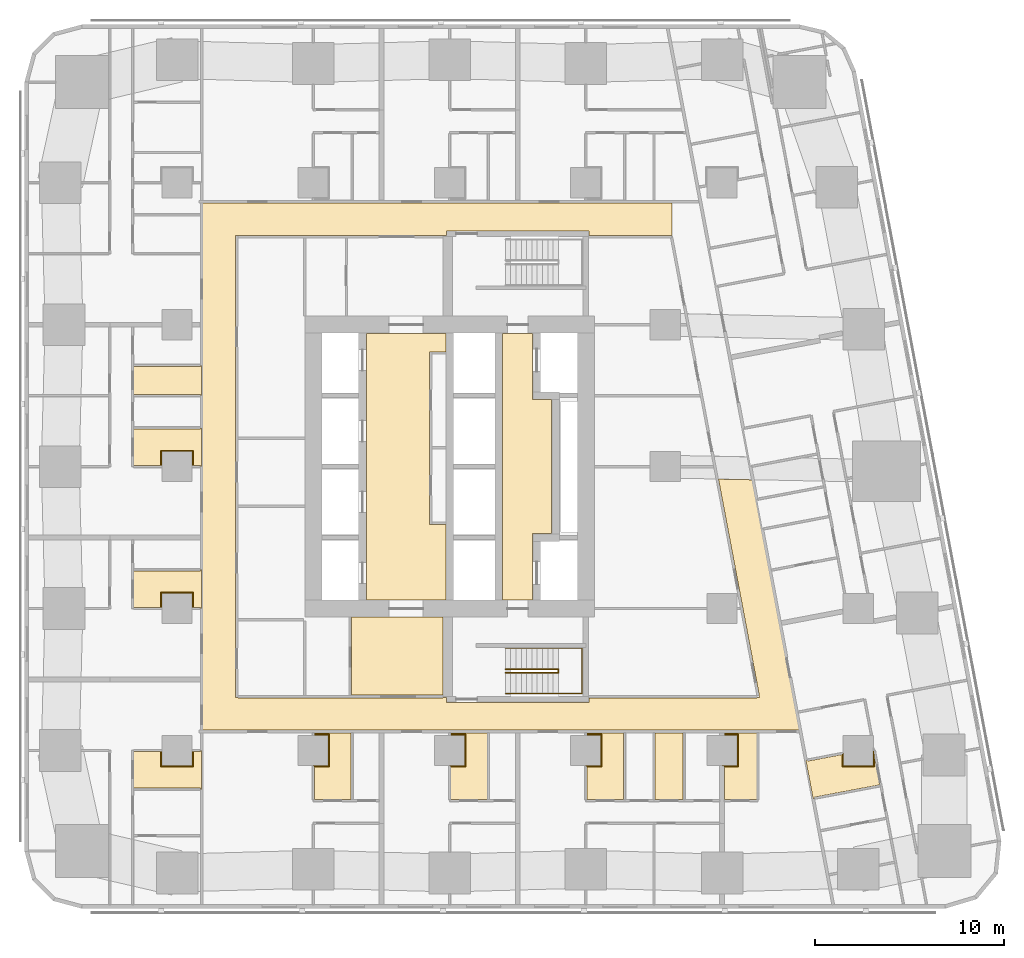
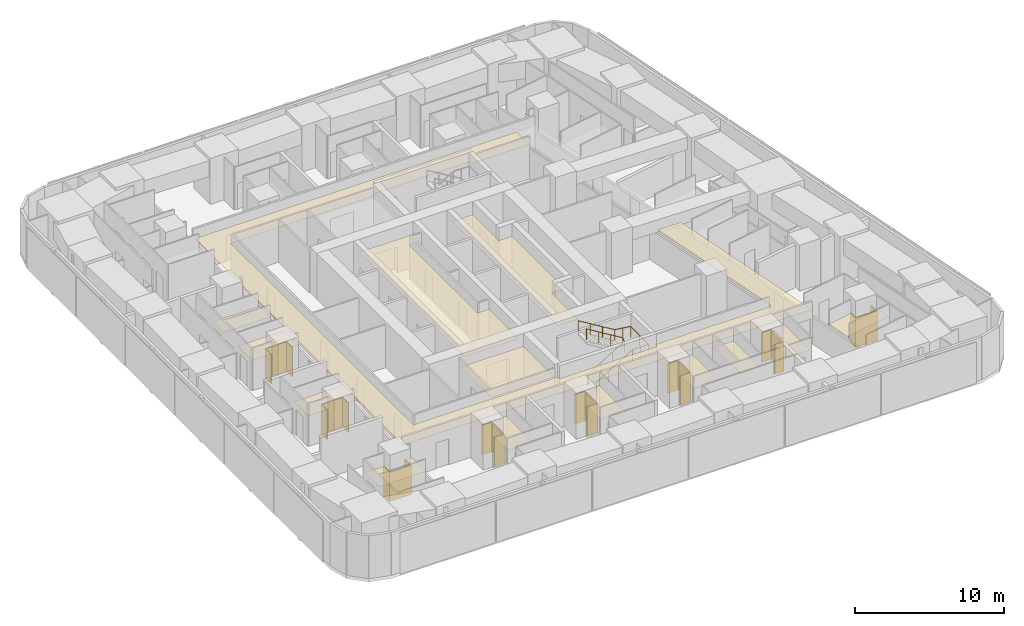
# One storey, part 14 of 16: 22 coverings, 2 railings.
"""IFC4 building model written with IfcOpenShell, lengths in metres."""

from ifc_helpers import new_model, si_unit, direction, frame, origin, origin_2d, place, context, subcontext, project, spatial, polyline, circle, outline, extrude, material, layer, layer_set, type_object, element, save


model = new_model("IFC4")

# Units and contexts
model_context = context("Model", 3, precision=1e-05, world=origin(), true_north=direction((0.0, 1.0)))
body_context = subcontext(model_context, "Body", "Model", "MODEL_VIEW")
ifc_project = project(units=[si_unit("LENGTHUNIT", "METRE"), si_unit("AREAUNIT", "SQUARE_METRE"), si_unit("VOLUMEUNIT", "CUBIC_METRE"), si_unit("PLANEANGLEUNIT", "RADIAN"), si_unit("MASSUNIT", "GRAM", prefix="KILO")], contexts=[model_context])

# Site, building, storey
site_placement = place(None, origin())
site = spatial("IfcSite", under=ifc_project, at=site_placement, CompositionType="ELEMENT")
building_placement = place(site_placement, origin())
building = spatial("IfcBuilding", under=site, at=building_placement, Name="Sheger Commons Tower", CompositionType="ELEMENT")
storey_placement = place(building_placement, frame((0.0, 0.0, 92.89990234375)))
storey = spatial("IfcBuildingStorey", under=building, at=storey_placement, Name="L23", CompositionType="ELEMENT", Elevation=92.89990234375)

# Railings
ifc_material_1 = material(Name="Steel handrail, black powder-coated", Category="steel")
railing_type = type_object("IfcRailingType", Name="HANDRAIL 900", PredefinedType="HANDRAIL", material=ifc_material_1)
railing_1_placement = place(storey_placement, frame((24.550048828125, 11.60009765625, 0.170654296875)))
element("IfcRailing", 1, at=railing_1_placement, inside=storey, type_object=railing_type, Name="Stair S1 handrail L23", PredefinedType="HANDRAIL", context=body_context, shape_type="SweptSolid", body=[
    extrude(circle(Radius=0.02392578125, at=origin_2d()), frame((0.0, 0.0, 0.8759765625), z_axis=(0.854202870247, 0.0, 0.519939858505), x_axis=(0.0, 1.0, 0.0)), (0.0, 0.0, 1.0), 3.278076171875),
    extrude(circle(Radius=0.02392578125, at=origin_2d()), frame((2.800048828125, 0.0, 2.580078125), z_axis=(0.0, 0.760631612298, 0.649183757016), x_axis=(-1.0, 0.0, 0.0)), (0.0, 0.0, 1.0), 0.262939453125),
    extrude(circle(Radius=0.02392578125, at=origin_2d()), frame((2.800048828125, 0.199951171875, 2.7509765625), z_axis=(-0.854202870247, 0.0, 0.519939858505), x_axis=(0.0, -1.0, 0.0)), (0.0, 0.0, 1.0), 3.278076171875),
    extrude(circle(Radius=0.02099609375, at=origin_2d()), origin(), (0.0, 0.0, 1.0), 0.851806640625),
    extrude(circle(Radius=0.02099609375, at=origin_2d()), frame((0.933349609375, 0.0, 0.568115234375)), (0.0, 0.0, 1.0), 0.851806640625),
    extrude(circle(Radius=0.02099609375, at=origin_2d()), frame((1.86669921875, 0.0, 1.13623046875)), (0.0, 0.0, 1.0), 0.851806640625),
    extrude(circle(Radius=0.02099609375, at=origin_2d()), frame((2.800048828125, 0.0, 1.704345703125)), (0.0, 0.0, 1.0), 0.851806640625),
    extrude(circle(Radius=0.02099609375, at=origin_2d()), frame((2.800048828125, 0.199951171875, 1.875)), (0.0, 0.0, 1.0), 0.851806640625),
    extrude(circle(Radius=0.02099609375, at=origin_2d()), frame((1.86669921875, 0.199951171875, 2.443115234375)), (0.0, 0.0, 1.0), 0.851806640625),
    extrude(circle(Radius=0.02099609375, at=origin_2d()), frame((0.933349609375, 0.199951171875, 3.01123046875)), (0.0, 0.0, 1.0), 0.851806640625),
    extrude(circle(Radius=0.02099609375, at=origin_2d()), frame((0.0, 0.199951171875, 3.579345703125)), (0.0, 0.0, 1.0), 0.851806640625),
])
railing_2_placement = place(storey_placement, frame((24.550048828125, 10.5, 0.170654296875)))
element("IfcRailing", 2, at=railing_2_placement, inside=storey, type_object=railing_type, Name="Stair S1 handrail L23", PredefinedType="HANDRAIL", context=body_context, shape_type="SweptSolid", body=[
    extrude(circle(Radius=0.02392578125, at=origin_2d()), frame((0.0, 0.0, 0.8759765625), z_axis=(0.854202870247, 0.0, 0.519939858505), x_axis=(0.0, 1.0, 0.0)), (0.0, 0.0, 1.0), 3.278076171875),
    extrude(circle(Radius=0.02392578125, at=origin_2d()), frame((2.800048828125, 0.0, 2.580078125), z_axis=(1.0, 0.0, 0.0), x_axis=(0.0, 1.0, 0.0)), (0.0, 0.0, 1.0), 1.25),
    extrude(circle(Radius=0.02392578125, at=origin_2d()), frame((4.050048828125, 0.0, 2.580078125), z_axis=(0.0, 1.0, 0.0), x_axis=(-1.0, 0.0, 0.0)), (0.0, 0.0, 1.0), 2.39990234375),
    extrude(circle(Radius=0.02392578125, at=origin_2d()), frame((4.050048828125, 2.39990234375, 2.580078125), z_axis=(-0.990808959222, 0.0, 0.135268645019), x_axis=(0.0, -1.0, 0.0)), (0.0, 0.0, 1.0), 1.261474609375),
    extrude(circle(Radius=0.02392578125, at=origin_2d()), frame((2.800048828125, 2.39990234375, 2.7509765625), z_axis=(-0.854202870247, 0.0, 0.519939858505), x_axis=(0.0, -1.0, 0.0)), (0.0, 0.0, 1.0), 3.278076171875),
    extrude(circle(Radius=0.02099609375, at=origin_2d()), origin(), (0.0, 0.0, 1.0), 0.851806640625),
    extrude(circle(Radius=0.02099609375, at=origin_2d()), frame((0.933349609375, 0.0, 0.568115234375)), (0.0, 0.0, 1.0), 0.851806640625),
    extrude(circle(Radius=0.02099609375, at=origin_2d()), frame((1.86669921875, 0.0, 1.13623046875)), (0.0, 0.0, 1.0), 0.851806640625),
    extrude(circle(Radius=0.02099609375, at=origin_2d()), frame((2.800048828125, 0.0, 1.704345703125)), (0.0, 0.0, 1.0), 0.851806640625),
    extrude(circle(Radius=0.02099609375, at=origin_2d()), frame((3.425048828125, 0.0, 1.704345703125)), (0.0, 0.0, 1.0), 0.851806640625),
    extrude(circle(Radius=0.02099609375, at=origin_2d()), frame((4.050048828125, 0.0, 1.704345703125)), (0.0, 0.0, 1.0), 0.851806640625),
    extrude(circle(Radius=0.02099609375, at=origin_2d()), frame((4.050048828125, 1.199951171875, 1.704345703125)), (0.0, 0.0, 1.0), 0.851806640625),
    extrude(circle(Radius=0.02099609375, at=origin_2d()), frame((4.050048828125, 2.39990234375, 1.704345703125)), (0.0, 0.0, 1.0), 0.851806640625),
    extrude(circle(Radius=0.02099609375, at=origin_2d()), frame((3.425048828125, 2.39990234375, 1.78955078125)), (0.0, 0.0, 1.0), 0.851806640625),
    extrude(circle(Radius=0.02099609375, at=origin_2d()), frame((2.800048828125, 2.39990234375, 1.875)), (0.0, 0.0, 1.0), 0.851806640625),
    extrude(circle(Radius=0.02099609375, at=origin_2d()), frame((1.86669921875, 2.39990234375, 2.443115234375)), (0.0, 0.0, 1.0), 0.851806640625),
    extrude(circle(Radius=0.02099609375, at=origin_2d()), frame((0.933349609375, 2.39990234375, 3.01123046875)), (0.0, 0.0, 1.0), 0.851806640625),
    extrude(circle(Radius=0.02099609375, at=origin_2d()), frame((0.0, 2.39990234375, 3.579345703125)), (0.0, 0.0, 1.0), 0.851806640625),
])

# Coverings
ifc_material_2 = material(Name="Moisture-resistant gypsum plasterboard 15 mm on a suspended galvanised steel grid", Category="steel")
ifc_layer_1 = layer(ifc_material_2, 0.014892578125)
ifc_layer_set_1 = layer_set([ifc_layer_1], Name="MOISTURE-RESISTANT CEILING 15")
covering_type_1 = type_object("IfcCoveringType", Name="MOISTURE-RESISTANT CEILING 15", PredefinedType="CEILING", material=ifc_layer_set_1)
covering_1_placement = place(storey_placement, frame((0.0, 0.0, 2.400146484375)))
element("IfcCovering", 3, at=covering_1_placement, inside=storey, type_object=covering_type_1, Name="L23-01.B1 ceiling", PredefinedType="CEILING", context=body_context, shape_type="SweptSolid", body=[
    extrude(outline(polyline([(8.429931640625, 5.449951171875), (8.5, 5.449951171875), (8.5, 7.5), (8.429931640625, 7.5), (8.429931640625, 7.445068359375), (8.0048828125, 7.445068359375), (8.0048828125, 6.695068359375), (6.39501953125, 6.695068359375), (6.39501953125, 7.445068359375), (4.905029296875, 7.445068359375), (4.905029296875, 5.5048828125), (8.429931640625, 5.5048828125), (8.429931640625, 5.449951171875)])), origin(), (0.0, 0.0, 1.0), 0.014892578125),
])
covering_2_placement = place(storey_placement, frame((0.0, 0.0, 2.400146484375)))
element("IfcCovering", 4, at=covering_2_placement, inside=storey, type_object=covering_type_1, Name="L23-02.B1 ceiling", PredefinedType="CEILING", context=body_context, shape_type="SweptSolid", body=[
    extrude(outline(polyline([(8.429931640625, 15.0), (8.5, 15.0), (8.5, 17.050048828125), (8.429931640625, 17.050048828125), (8.429931640625, 16.9951171875), (4.905029296875, 16.9951171875), (4.905029296875, 15.054931640625), (6.39501953125, 15.054931640625), (6.39501953125, 15.804931640625), (8.0048828125, 15.804931640625), (8.0048828125, 15.054931640625), (8.429931640625, 15.054931640625), (8.429931640625, 15.0)])), origin(), (0.0, 0.0, 1.0), 0.014892578125),
])
covering_3_placement = place(storey_placement, frame((0.0, 0.0, 2.400146484375)))
element("IfcCovering", 5, at=covering_3_placement, inside=storey, type_object=covering_type_1, Name="L23-03.B1 ceiling", PredefinedType="CEILING", context=body_context, shape_type="SweptSolid", body=[
    extrude(outline(polyline([(8.429931640625, 22.5), (8.5, 22.5), (8.5, 24.550048828125), (8.429931640625, 24.550048828125), (8.429931640625, 24.4951171875), (4.905029296875, 24.4951171875), (4.905029296875, 22.554931640625), (6.39501953125, 22.554931640625), (6.39501953125, 23.304931640625), (8.0048828125, 23.304931640625), (8.0048828125, 22.554931640625), (8.429931640625, 22.554931640625), (8.429931640625, 22.5)])), origin(), (0.0, 0.0, 1.0), 0.014892578125),
])
covering_4_placement = place(storey_placement, frame((0.0, 0.0, 2.400146484375)))
element("IfcCovering", 6, at=covering_4_placement, inside=storey, type_object=covering_type_1, Name="L23-03.B2 ceiling", PredefinedType="CEILING", context=body_context, shape_type="SweptSolid", body=[
    extrude(outline(polyline([(8.429931640625, 26.25), (8.5, 26.25), (8.5, 27.85009765625), (8.429931640625, 27.85009765625), (8.429931640625, 27.794921875), (4.905029296875, 27.794921875), (4.905029296875, 26.304931640625), (8.429931640625, 26.304931640625), (8.429931640625, 26.25)])), origin(), (0.0, 0.0, 1.0), 0.014892578125),
])
covering_5_placement = place(storey_placement, frame((0.0, 0.0, 2.400146484375)))
element("IfcCovering", 7, at=covering_5_placement, inside=storey, type_object=covering_type_1, Name="L23-05.B1 ceiling", PredefinedType="CEILING", context=body_context, shape_type="SweptSolid", body=[
    extrude(outline(polyline([(14.455078125, 4.905029296875), (16.39501953125, 4.905029296875), (16.39501953125, 8.419921875), (14.455078125, 8.419921875), (14.455078125, 8.304931640625), (15.205078125, 8.304931640625), (15.205078125, 6.695068359375), (14.455078125, 6.695068359375), (14.455078125, 4.905029296875)])), origin(), (0.0, 0.0, 1.0), 0.014892578125),
])
covering_6_placement = place(storey_placement, frame((0.0, 0.0, 2.400146484375)))
element("IfcCovering", 8, at=covering_6_placement, inside=storey, type_object=covering_type_1, Name="L23-06.B1 ceiling", PredefinedType="CEILING", context=body_context, shape_type="SweptSolid", body=[
    extrude(outline(polyline([(21.655029296875, 4.905029296875), (23.594970703125, 4.905029296875), (23.594970703125, 8.419921875), (21.655029296875, 8.419921875), (21.655029296875, 8.304931640625), (22.405029296875, 8.304931640625), (22.405029296875, 6.695068359375), (21.655029296875, 6.695068359375), (21.655029296875, 4.905029296875)])), origin(), (0.0, 0.0, 1.0), 0.014892578125),
])
covering_7_placement = place(storey_placement, frame((0.0, 0.0, 2.400146484375)))
element("IfcCovering", 9, at=covering_7_placement, inside=storey, type_object=covering_type_1, Name="L23-07.B1 ceiling", PredefinedType="CEILING", context=body_context, shape_type="SweptSolid", body=[
    extrude(outline(polyline([(28.85498046875, 4.905029296875), (30.794921875, 4.905029296875), (30.794921875, 8.419921875), (28.85498046875, 8.419921875), (28.85498046875, 8.304931640625), (29.60498046875, 8.304931640625), (29.60498046875, 6.695068359375), (28.85498046875, 6.695068359375), (28.85498046875, 4.905029296875)])), origin(), (0.0, 0.0, 1.0), 0.014892578125),
])
covering_8_placement = place(storey_placement, frame((0.0, 0.0, 2.400146484375)))
element("IfcCovering", 10, at=covering_8_placement, inside=storey, type_object=covering_type_1, Name="L23-07.B2 ceiling", PredefinedType="CEILING", context=body_context, shape_type="SweptSolid", body=[
    extrude(outline(polyline([(32.455078125, 4.905029296875), (33.945068359375, 4.905029296875), (33.945068359375, 8.419921875), (32.455078125, 8.419921875), (32.455078125, 4.905029296875)])), origin(), (0.0, 0.0, 1.0), 0.014892578125),
])
covering_9_placement = place(storey_placement, frame((0.0, 0.0, 2.400146484375)))
element("IfcCovering", 11, at=covering_9_placement, inside=storey, type_object=covering_type_1, Name="L23-08.B1 ceiling", PredefinedType="CEILING", context=body_context, shape_type="SweptSolid", body=[
    extrude(outline(polyline([(36.1298828125, 4.905029296875), (37.8349609375, 4.905029296875), (37.8349609375, 8.419921875), (36.1298828125, 8.419921875), (36.1298828125, 8.304931640625), (36.804931640625, 8.304931640625), (36.804931640625, 6.695068359375), (36.1298828125, 6.695068359375), (36.1298828125, 4.905029296875)])), origin(), (0.0, 0.0, 1.0), 0.014892578125),
])
covering_10_placement = place(storey_placement, frame((0.0, 0.0, 2.400146484375)))
element("IfcCovering", 12, at=covering_10_placement, inside=storey, type_object=covering_type_1, Name="L23-11.B1 ceiling", PredefinedType="CEILING", context=body_context, shape_type="SweptSolid", body=[
    extrude(outline(polyline([(40.81201171875, 4.962890625), (40.881103515625, 4.97607421875), (40.87109375, 5.030029296875), (44.333984375, 5.68408203125), (44.007080078125, 7.4150390625), (44.0048828125, 7.4150390625), (44.0048828125, 6.695068359375), (42.39501953125, 6.695068359375), (42.39501953125, 7.2919921875), (40.510009765625, 6.93603515625), (40.5, 6.990966796875), (40.431884765625, 6.97802734375), (40.81201171875, 4.962890625)])), origin(), (0.0, 0.0, 1.0), 0.014892578125),
])
ifc_material_3 = material(Name="Gypsum plasterboard 15 mm on a suspended steel grid", Category="steel")
ifc_layer_2 = layer(ifc_material_3, 0.014892578125)
ifc_layer_set_2 = layer_set([ifc_layer_2], Name="SUSPENDED CEILING 15")
covering_type_2 = type_object("IfcCoveringType", Name="SUSPENDED CEILING 15", PredefinedType="CEILING", material=ifc_layer_set_2)
covering_11_placement = place(storey_placement, frame((0.0, 0.0, 2.7001953125)))
element("IfcCovering", 13, at=covering_11_placement, inside=storey, type_object=covering_type_2, Name="L23-CO ceiling", PredefinedType="CEILING", context=body_context, shape_type="SweptSolid", body=[
    extrude(outline(polyline([(40.05810546875, 8.5), (40.14404296875, 8.5), (37.632080078125, 21.801025390625), (35.81103515625, 21.837890625), (37.967041015625, 10.4208984375), (37.949951171875, 10.4169921875), (37.971923828125, 10.300048828125), (37.841064453125, 10.300048828125), (37.841064453125, 10.281982421875), (28.955078125, 10.281982421875), (28.955078125, 10.044921875), (21.445068359375, 10.044921875), (21.445068359375, 10.300048828125), (21.2548828125, 10.300048828125), (21.2548828125, 10.281982421875), (10.407958984375, 10.281982421875), (10.407958984375, 10.294921875), (10.281982421875, 10.294921875), (10.281982421875, 34.705078125), (10.407958984375, 34.705078125), (10.407958984375, 34.718017578125), (21.2548828125, 34.718017578125), (21.2548828125, 34.699951171875), (21.445068359375, 34.699951171875), (21.445068359375, 34.955078125), (28.955078125, 34.955078125), (28.955078125, 34.718017578125), (33.3359375, 34.718017578125), (33.3359375, 34.699951171875), (33.361083984375, 34.699951171875), (33.361083984375, 36.419921875), (8.5, 36.419921875), (8.5, 8.580078125), (40.05810546875, 8.580078125), (40.05810546875, 8.5)])), origin(), (0.0, 0.0, 1.0), 0.014892578125),
])
covering_12_placement = place(storey_placement, frame((0.0, 0.0, 2.7001953125)))
element("IfcCovering", 14, at=covering_12_placement, inside=storey, type_object=covering_type_2, Name="L23-SVS1 ceiling", PredefinedType="CEILING", context=body_context, shape_type="SweptSolid", body=[
    extrude(outline(polyline([(16.406982421875, 10.41796875), (21.2451171875, 10.41796875), (21.2451171875, 14.544921875), (16.406982421875, 14.544921875), (16.406982421875, 10.41796875)])), origin(), (0.0, 0.0, 1.0), 0.014892578125),
])
covering_13_placement = place(storey_placement, frame((0.0, 0.0, 2.7001953125)))
element("IfcCovering", 15, at=covering_13_placement, inside=storey, type_object=covering_type_2, Name="L23-LL ceiling", PredefinedType="CEILING", context=body_context, shape_type="SweptSolid", body=[
    extrude(outline(polyline([(17.205078125, 15.455078125), (21.39990234375, 15.455078125), (21.39990234375, 19.43310546875), (20.657958984375, 19.43310546875), (20.532958984375, 19.43310546875), (20.532958984375, 28.56689453125), (20.657958984375, 28.56689453125), (21.39990234375, 28.56689453125), (21.39990234375, 29.544921875), (17.205078125, 29.544921875), (17.205078125, 15.455078125)])), origin(), (0.0, 0.0, 1.0), 0.014892578125),
])
covering_14_placement = place(storey_placement, frame((0.0, 0.0, 2.7001953125)))
element("IfcCovering", 16, at=covering_14_placement, inside=storey, type_object=covering_type_2, Name="L23-FL ceiling", PredefinedType="CEILING", context=body_context, shape_type="SweptSolid", body=[
    extrude(outline(polyline([(24.405029296875, 15.455078125), (25.9951171875, 15.455078125), (25.9951171875, 18.955078125), (26.9951171875, 18.955078125), (26.9951171875, 26.044921875), (25.9951171875, 26.044921875), (25.9951171875, 29.544921875), (24.405029296875, 29.544921875), (24.405029296875, 15.455078125)])), origin(), (0.0, 0.0, 1.0), 0.014892578125),
])
ifc_material_4 = material(Name="Moisture-resistant gypsum board 12.5 mm on 25 mm treated timber battens, tanked and tiled", Category="wood")
ifc_layer_3 = layer(ifc_material_4, 0.050048828125)
ifc_layer_set_3 = layer_set([ifc_layer_3], Name="WET-ROOM COLUMN LINING")
covering_type_3 = type_object("IfcCoveringType", Name="WET-ROOM COLUMN LINING", PredefinedType="CLADDING", material=ifc_layer_set_3)
covering_15_placement = place(storey_placement, origin())
element("IfcCovering", 17, at=covering_15_placement, inside=storey, type_object=covering_type_3, Name="Bathroom column lining C9 L23", PredefinedType="CLADDING", context=body_context, shape_type="SweptSolid", body=[
    extrude(outline(polyline([(6.39990234375, 7.5), (6.39990234375, 6.699951171875), (8.0, 6.699951171875), (8.0, 7.5), (8.0009765625, 7.5), (8.0009765625, 7.449951171875), (8.050048828125, 7.449951171875), (8.050048828125, 6.64990234375), (6.35009765625, 6.64990234375), (6.35009765625, 7.449951171875), (6.39892578125, 7.449951171875), (6.39892578125, 7.5), (6.39990234375, 7.5)])), origin(), (0.0, 0.0, 1.0), 2.400146484375),
])
covering_16_placement = place(storey_placement, origin())
element("IfcCovering", 18, at=covering_16_placement, inside=storey, type_object=covering_type_3, Name="Bathroom column lining C9 L23", PredefinedType="CLADDING", context=body_context, shape_type="SweptSolid", body=[
    extrude(outline(polyline([(15.25, 6.64990234375), (14.449951171875, 6.64990234375), (14.449951171875, 6.698974609375), (14.39990234375, 6.698974609375), (14.39990234375, 6.699951171875), (15.199951171875, 6.699951171875), (15.199951171875, 8.300048828125), (14.39990234375, 8.300048828125), (14.39990234375, 8.301025390625), (14.449951171875, 8.301025390625), (14.449951171875, 8.35009765625), (15.25, 8.35009765625), (15.25, 6.64990234375)])), origin(), (0.0, 0.0, 1.0), 2.400146484375),
])
covering_17_placement = place(storey_placement, origin())
element("IfcCovering", 19, at=covering_17_placement, inside=storey, type_object=covering_type_3, Name="Bathroom column lining C9 L23", PredefinedType="CLADDING", context=body_context, shape_type="SweptSolid", body=[
    extrude(outline(polyline([(22.449951171875, 6.64990234375), (21.64990234375, 6.64990234375), (21.64990234375, 6.698974609375), (21.60009765625, 6.698974609375), (21.60009765625, 6.699951171875), (22.39990234375, 6.699951171875), (22.39990234375, 8.300048828125), (21.60009765625, 8.300048828125), (21.60009765625, 8.301025390625), (21.64990234375, 8.301025390625), (21.64990234375, 8.35009765625), (22.449951171875, 8.35009765625), (22.449951171875, 6.64990234375)])), origin(), (0.0, 0.0, 1.0), 2.400146484375),
])
covering_18_placement = place(storey_placement, origin())
element("IfcCovering", 20, at=covering_18_placement, inside=storey, type_object=covering_type_3, Name="Bathroom column lining C9 L23", PredefinedType="CLADDING", context=body_context, shape_type="SweptSolid", body=[
    extrude(outline(polyline([(29.64990234375, 6.64990234375), (28.85009765625, 6.64990234375), (28.85009765625, 6.698974609375), (28.800048828125, 6.698974609375), (28.800048828125, 6.699951171875), (29.60009765625, 6.699951171875), (29.60009765625, 8.300048828125), (28.800048828125, 8.300048828125), (28.800048828125, 8.301025390625), (28.85009765625, 8.301025390625), (28.85009765625, 8.35009765625), (29.64990234375, 8.35009765625), (29.64990234375, 6.64990234375)])), origin(), (0.0, 0.0, 1.0), 2.400146484375),
])
covering_19_placement = place(storey_placement, origin())
element("IfcCovering", 21, at=covering_19_placement, inside=storey, type_object=covering_type_3, Name="Shower room column lining C9 L23", PredefinedType="CLADDING", context=body_context, shape_type="SweptSolid", body=[
    extrude(outline(polyline([(36.85009765625, 6.64990234375), (36.125, 6.64990234375), (36.125, 6.698974609375), (36.0, 6.698974609375), (36.0, 6.699951171875), (36.800048828125, 6.699951171875), (36.800048828125, 8.300048828125), (36.0, 8.300048828125), (36.0, 8.301025390625), (36.125, 8.301025390625), (36.125, 8.35009765625), (36.85009765625, 8.35009765625), (36.85009765625, 6.64990234375)])), origin(), (0.0, 0.0, 1.0), 2.400146484375),
])
covering_20_placement = place(storey_placement, origin())
element("IfcCovering", 22, at=covering_20_placement, inside=storey, type_object=covering_type_3, Name="Bathroom column lining C9 L23", PredefinedType="CLADDING", context=body_context, shape_type="SweptSolid", body=[
    extrude(outline(polyline([(42.39990234375, 7.35009765625), (42.39990234375, 6.699951171875), (44.0, 6.699951171875), (44.0, 7.47998046875), (44.050048828125, 7.215087890625), (44.050048828125, 6.64990234375), (42.35009765625, 6.64990234375), (42.35009765625, 7.2890625), (42.39892578125, 7.298095703125), (42.389892578125, 7.347900390625), (42.39990234375, 7.35009765625)])), origin(), (0.0, 0.0, 1.0), 2.400146484375),
])
covering_21_placement = place(storey_placement, origin())
element("IfcCovering", 23, at=covering_21_placement, inside=storey, type_object=covering_type_3, Name="Bathroom column lining C9 L23", PredefinedType="CLADDING", context=body_context, shape_type="SweptSolid", body=[
    extrude(outline(polyline([(8.050048828125, 15.85009765625), (8.050048828125, 15.050048828125), (8.0009765625, 15.050048828125), (8.0009765625, 15.0), (8.0, 15.0), (8.0, 15.800048828125), (6.39990234375, 15.800048828125), (6.39990234375, 15.0), (6.39892578125, 15.0), (6.39892578125, 15.050048828125), (6.35009765625, 15.050048828125), (6.35009765625, 15.85009765625), (8.050048828125, 15.85009765625)])), origin(), (0.0, 0.0, 1.0), 2.400146484375),
])
covering_22_placement = place(storey_placement, origin())
element("IfcCovering", 24, at=covering_22_placement, inside=storey, type_object=covering_type_3, Name="Bathroom column lining C9 L23", PredefinedType="CLADDING", context=body_context, shape_type="SweptSolid", body=[
    extrude(outline(polyline([(8.050048828125, 23.35009765625), (8.050048828125, 22.550048828125), (8.0009765625, 22.550048828125), (8.0009765625, 22.5), (8.0, 22.5), (8.0, 23.300048828125), (6.39990234375, 23.300048828125), (6.39990234375, 22.5), (6.39892578125, 22.5), (6.39892578125, 22.550048828125), (6.35009765625, 22.550048828125), (6.35009765625, 23.35009765625), (8.050048828125, 23.35009765625)])), origin(), (0.0, 0.0, 1.0), 2.400146484375),
])

save(model, "model.ifc")
